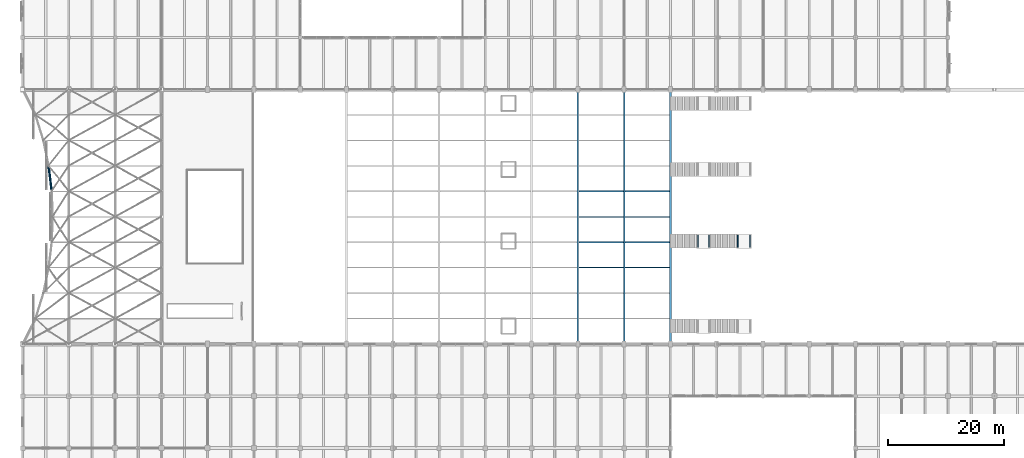
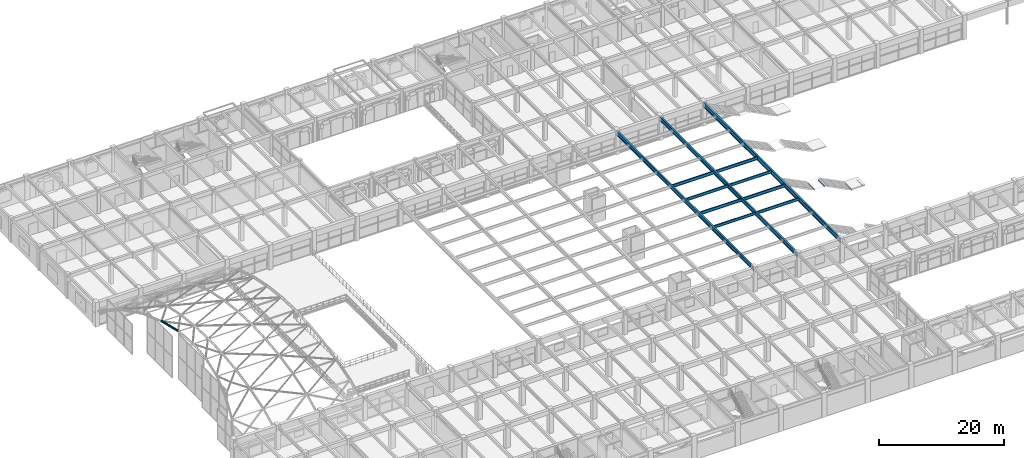
# One storey, part 30 of 144: 16 beams.
"""IFC4 building model written with IfcOpenShell, lengths in metres."""

from ifc_helpers import new_model, si_unit, direction, frame, origin, origin_2d, place, context, subcontext, project, spatial, hollow_circle, i_section, extrude, material, material_profile, profile_set, type_object, element, save


model = new_model("IFC4")

# Units and contexts
model_context = context("Model", 3, precision=1e-05, world=origin(), true_north=direction((0.0, 1.0)))
body_context = subcontext(model_context, "Body", "Model", "MODEL_VIEW")
ifc_project = project(units=[si_unit("LENGTHUNIT", "METRE"), si_unit("AREAUNIT", "SQUARE_METRE"), si_unit("VOLUMEUNIT", "CUBIC_METRE"), si_unit("PLANEANGLEUNIT", "RADIAN"), si_unit("MASSUNIT", "GRAM", prefix="KILO")], contexts=[model_context])

# Site, building, storey
site_placement = place(None, origin())
site = spatial("IfcSite", under=ifc_project, at=site_placement, CompositionType="ELEMENT")
building_placement = place(site_placement, origin())
building = spatial("IfcBuilding", under=site, at=building_placement, Name="Varnabhumi Central Station", CompositionType="ELEMENT")
storey_placement = place(building_placement, frame((0.0, 0.0, 4.800048828125)))
storey = spatial("IfcBuildingStorey", under=building, at=storey_placement, Name="L01", CompositionType="ELEMENT", Elevation=4.800048828125)

# Beams
ifc_material_1 = material(Name="Structural steel E350", Category="steel")
ifc_material_profile_1 = material_profile(ifc_material_1, hollow_circle(Radius=0.203125, WallThickness=0.01611328125, at=origin_2d()), Name="Structural steel E350", Category="steel")
ifc_profile_set_1 = profile_set([ifc_material_profile_1], Name="Structural steel E350")
beam_type_1 = type_object("IfcBeamType", Name="BM-ARCH-CHS406", PredefinedType="BEAM", material=ifc_profile_set_1)
beam_1_placement = place(storey_placement, frame((5.0244140625, 62.39990234375, 7.824462890625), z_axis=(-0.119383432495, 0.985637931225, -0.119438120279), x_axis=(-0.992744345989, -0.120244182838, 0.0)))
element("IfcBeam", 1, at=beam_1_placement, inside=storey, type_object=beam_type_1, Name="Forecourt Arrival Canopy Vault Arch Rib 1 Seg 7", PredefinedType="BEAM", context=body_context, shape_type="SweptSolid", body=[
    extrude(hollow_circle(Radius=0.203125, WallThickness=0.01611328125, at=origin_2d()), origin(), (0.0, 0.0, 1.0), 4.46435546875),
])
ifc_material_2 = material(Name="Structural steel E450", Category="steel")
ifc_material_profile_2 = material_profile(ifc_material_2, i_section(OverallWidth=0.300048828125, OverallDepth=0.800048828125, WebThickness=0.017578125, FlangeThickness=0.032958984375, FilletRadius=0.030029296875, at=origin_2d()), Name="Structural steel E450", Category="steel")
ifc_profile_set_2 = profile_set([ifc_material_profile_2], Name="Structural steel E450")
beam_type_2 = type_object("IfcBeamType", Name="BM-CONC-WPB800", PredefinedType="BEAM", material=ifc_profile_set_2)
for number, where, z_axis, x_axis, name in (
    (2, (96.0, 36.10009765625, 4.079833984375), (0.0, 1.0, 0.0), (-1.0, 0.0, 0.0), "Concourse Bridge Plate Girder G-13"),
    (3, (104.0, 36.10009765625, 4.079833984375), (0.0, 1.0, 0.0), (-1.0, 0.0, 0.0), "Concourse Bridge Plate Girder G-14"),
):
    element("IfcBeam", number, at=place(storey_placement, frame(where, z_axis=z_axis, x_axis=x_axis)), inside=storey, type_object=beam_type_2, Name=name, PredefinedType="BEAM", context=body_context, shape_type="SweptSolid", body=[
        extrude(i_section(OverallWidth=0.300048828125, OverallDepth=0.800048828125, WebThickness=0.017578125, FlangeThickness=0.032958984375, FilletRadius=0.030029296875, at=origin_2d()), origin(), (0.0, 0.0, 1.0), 43.7998046875),
    ])
ifc_material_profile_3 = material_profile(ifc_material_2, i_section(OverallWidth=0.300048828125, OverallDepth=0.89990234375, WebThickness=0.0185546875, FlangeThickness=0.034912109375, FilletRadius=0.030029296875, at=origin_2d()), Name="Structural steel E450", Category="steel")
ifc_profile_set_3 = profile_set([ifc_material_profile_3], Name="Structural steel E450")
beam_type_3 = type_object("IfcBeamType", Name="BM-CONC-WPB900", PredefinedType="BEAM", material=ifc_profile_set_3)
beam_2_placement = place(storey_placement, frame((112.0, 36.10009765625, 4.030029296875), z_axis=(0.0, 1.0, 0.0), x_axis=(-1.0, 0.0, 0.0)))
element("IfcBeam", 4, at=beam_2_placement, inside=storey, type_object=beam_type_3, Name="Concourse Bridge Plate Girder G-15", PredefinedType="BEAM", context=body_context, shape_type="SweptSolid", body=[
    extrude(i_section(OverallWidth=0.300048828125, OverallDepth=0.89990234375, WebThickness=0.0185546875, FlangeThickness=0.034912109375, FilletRadius=0.030029296875, at=origin_2d()), origin(), (0.0, 0.0, 1.0), 43.7998046875),
])
ifc_material_profile_4 = material_profile(ifc_material_1, i_section(OverallWidth=0.18994140625, OverallDepth=0.550048828125, WebThickness=0.01123046875, FlangeThickness=0.019287109375, FilletRadius=0.01806640625, at=origin_2d()), Name="Structural steel E350", Category="steel")
ifc_profile_set_4 = profile_set([ifc_material_profile_4], Name="Structural steel E350")
beam_type_4 = type_object("IfcBeamType", Name="BM-JST-ISMB550", PredefinedType="JOIST", material=ifc_profile_set_4)
for number, where, z_axis, x_axis, name in (
    (5, (96.155029296875, 49.199951171875, 4.204833984375), (1.0, 0.0, 0.0), (0.0, 1.0, 0.0), "Concourse Stringer 13-14-S3"),
    (6, (96.155029296875, 58.0, 4.204833984375), (1.0, 0.0, 0.0), (0.0, 1.0, 0.0), "Concourse Stringer 13-14-S5"),
    (7, (104.155029296875, 49.199951171875, 4.204833984375), (1.0, 0.0, 0.0), (0.0, 1.0, 0.0), "Concourse Stringer 14-15-S3"),
    (8, (104.155029296875, 58.0, 4.204833984375), (1.0, 0.0, 0.0), (0.0, 1.0, 0.0), "Concourse Stringer 14-15-S5"),
):
    element("IfcBeam", number, at=place(storey_placement, frame(where, z_axis=z_axis, x_axis=x_axis)), inside=storey, type_object=beam_type_4, Name=name, PredefinedType="JOIST", context=body_context, shape_type="SweptSolid", body=[
        extrude(i_section(OverallWidth=0.18994140625, OverallDepth=0.550048828125, WebThickness=0.01123046875, FlangeThickness=0.019287109375, FilletRadius=0.01806640625, at=origin_2d()), origin(), (0.0, 0.0, 1.0), 7.68994140625),
    ])
ifc_material_profile_5 = material_profile(ifc_material_1, i_section(OverallWidth=0.2099609375, OverallDepth=0.60009765625, WebThickness=0.011962890625, FlangeThickness=0.020751953125, FilletRadius=0.02001953125, at=origin_2d()), Name="Structural steel E350", Category="steel")
ifc_profile_set_5 = profile_set([ifc_material_profile_5], Name="Structural steel E350")
beam_type_5 = type_object("IfcBeamType", Name="BM-JST-ISMB600", PredefinedType="JOIST", material=ifc_profile_set_5)
for number, where, z_axis, x_axis, name in (
    (9, (96.155029296875, 53.60009765625, 4.179931640625), (1.0, 0.0, 0.0), (0.0, 1.0, 0.0), "Concourse Stringer 13-14-S4"),
    (10, (96.155029296875, 62.39990234375, 4.179931640625), (1.0, 0.0, 0.0), (0.0, 1.0, 0.0), "Concourse Stringer 13-14-S6"),
    (11, (104.155029296875, 53.60009765625, 4.179931640625), (1.0, 0.0, 0.0), (0.0, 1.0, 0.0), "Concourse Stringer 14-15-S4"),
    (12, (104.155029296875, 62.39990234375, 4.179931640625), (1.0, 0.0, 0.0), (0.0, 1.0, 0.0), "Concourse Stringer 14-15-S6"),
):
    element("IfcBeam", number, at=place(storey_placement, frame(where, z_axis=z_axis, x_axis=x_axis)), inside=storey, type_object=beam_type_5, Name=name, PredefinedType="JOIST", context=body_context, shape_type="SweptSolid", body=[
        extrude(i_section(OverallWidth=0.2099609375, OverallDepth=0.60009765625, WebThickness=0.011962890625, FlangeThickness=0.020751953125, FilletRadius=0.02001953125, at=origin_2d()), origin(), (0.0, 0.0, 1.0), 7.68994140625),
    ])
ifc_material_profile_6 = material_profile(ifc_material_1, i_section(OverallWidth=0.110107421875, OverallDepth=0.22509765625, WebThickness=0.006591796875, FlangeThickness=0.01171875, FilletRadius=0.011962890625, at=origin_2d()), Name="Structural steel E350", Category="steel")
ifc_profile_set_6 = profile_set([ifc_material_profile_6], Name="Structural steel E350")
beam_type_6 = type_object("IfcBeamType", Name="BM-STL-ISMB225", PredefinedType="JOIST", material=ifc_profile_set_6)
for number, where, z_axis, x_axis, name in (
    (13, (123.64990234375, 52.75, -0.33251953125), (0.0, 1.0, 0.0), (-1.0, 0.0, 0.0), "Stair Landing Beam P2-p2_l1xfer-1"),
    (14, (125.75, 52.75, -0.33251953125), (0.0, 1.0, 0.0), (-1.0, 0.0, 0.0), "Stair Landing Beam P2-p2_l1xfer-2"),
    (15, (116.75, 52.75, 2.107421875), (0.0, 1.0, 0.0), (-1.0, 0.0, 0.0), "Stair Landing Beam P2-p2_l1mid-1"),
    (16, (118.64990234375, 52.75, 2.107421875), (0.0, 1.0, 0.0), (-1.0, 0.0, 0.0), "Stair Landing Beam P2-p2_l1mid-2"),
):
    element("IfcBeam", number, at=place(storey_placement, frame(where, z_axis=z_axis, x_axis=x_axis)), inside=storey, type_object=beam_type_6, Name=name, PredefinedType="JOIST", context=body_context, shape_type="SweptSolid", body=[
        extrude(i_section(OverallWidth=0.110107421875, OverallDepth=0.22509765625, WebThickness=0.006591796875, FlangeThickness=0.01171875, FilletRadius=0.011962890625, at=origin_2d()), origin(), (0.0, 0.0, 1.0), 2.10009765625),
    ])

save(model, "model.ifc")
